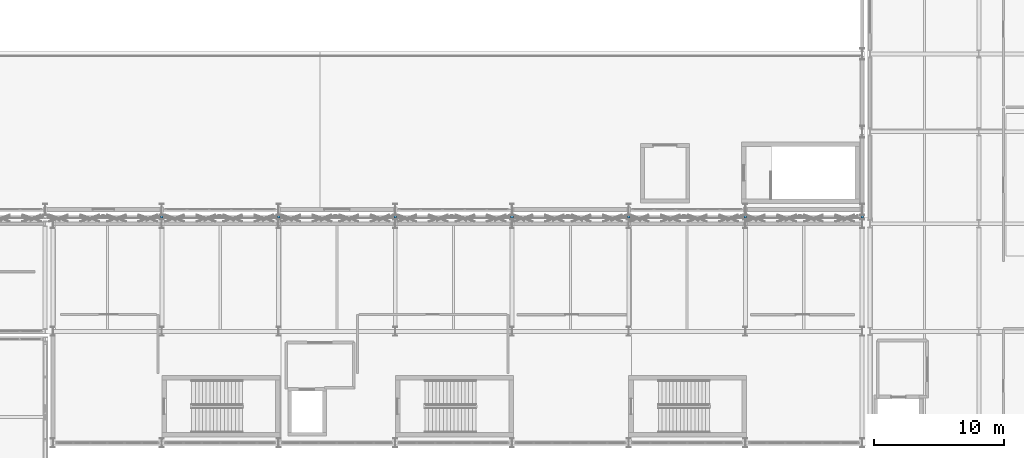
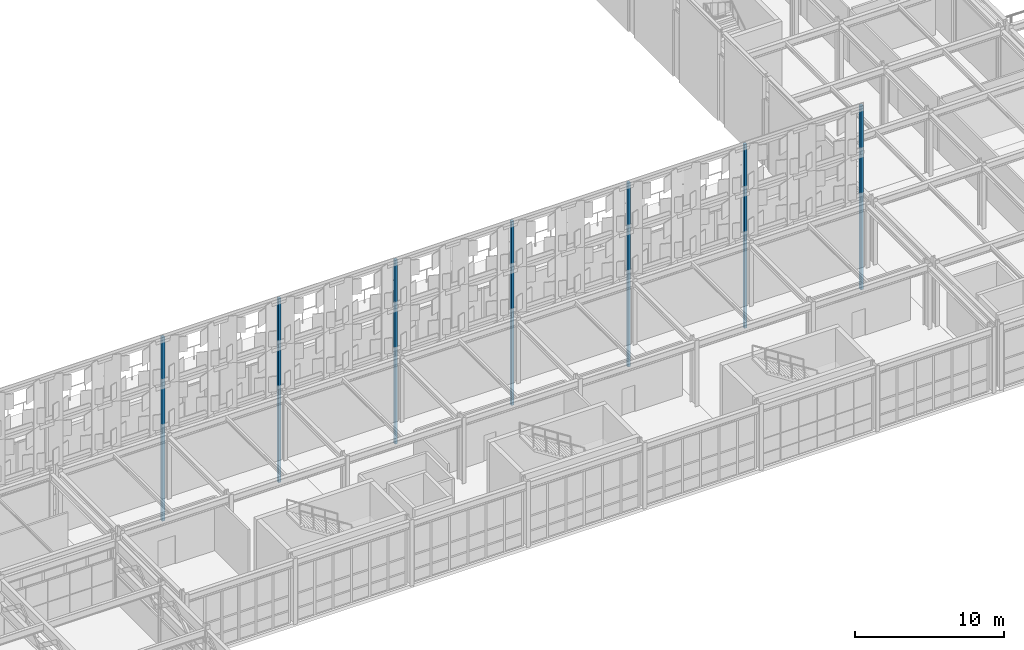
# One storey, part 167 of 210: 7 discrete accessories.
"""IFC4 building model written with IfcOpenShell, lengths in metres."""

from ifc_helpers import new_model, si_unit, direction, frame, origin, origin_2d, place, context, subcontext, project, spatial, rectangle, extrude, material, type_object, element, save


model = new_model("IFC4")

# Units and contexts
model_context = context("Model", 3, precision=1e-05, world=origin(), true_north=direction((0.0, 1.0)))
body_context = subcontext(model_context, "Body", "Model", "MODEL_VIEW")
ifc_project = project(units=[si_unit("LENGTHUNIT", "METRE"), si_unit("AREAUNIT", "SQUARE_METRE"), si_unit("VOLUMEUNIT", "CUBIC_METRE"), si_unit("PLANEANGLEUNIT", "RADIAN"), si_unit("MASSUNIT", "GRAM", prefix="KILO")], contexts=[model_context])

# Site, building, storey
site_placement = place(None, origin())
site = spatial("IfcSite", under=ifc_project, at=site_placement, CompositionType="ELEMENT")
building_placement = place(site_placement, origin())
building = spatial("IfcBuilding", under=site, at=building_placement, Name="Kaldris Quays Convention Centre", CompositionType="ELEMENT")
storey_placement = place(building_placement, frame((0.0, 0.0, 6.0)))
storey = spatial("IfcBuildingStorey", under=building, at=storey_placement, Name="L01", CompositionType="ELEMENT", Elevation=6.0)

# Discrete accessories
ifc_material = material(Name="Steel S355J2", Category="steel")
discrete_accessory_type = type_object("IfcDiscreteAccessoryType", Name="SCREEN OUTRIGGER BRACKET BK01", PredefinedType="BRACKET", material=ifc_material)
for number, where, z_axis, x_axis, name in (
    (1, (92.0, 55.43994140625, -2.27001953125), (0.0, 0.0, 1.0), (1.0, 0.0, 0.0), "V1S Screen Vertical Carrier Mullion 200"),
    (2, (101.0, 55.43994140625, -2.27001953125), (0.0, 0.0, 1.0), (1.0, 0.0, 0.0), "V1S Screen Vertical Carrier Mullion 205"),
    (3, (110.0, 55.43994140625, -2.27001953125), (0.0, 0.0, 1.0), (1.0, 0.0, 0.0), "V1S Screen Vertical Carrier Mullion 210"),
    (4, (119.0, 55.43994140625, -2.27001953125), (0.0, 0.0, 1.0), (1.0, 0.0, 0.0), "V1S Screen Vertical Carrier Mullion 215"),
    (5, (128.0, 55.43994140625, -2.27001953125), (0.0, 0.0, 1.0), (1.0, 0.0, 0.0), "V1S Screen Vertical Carrier Mullion 220"),
    (6, (137.0, 55.43994140625, -2.27001953125), (0.0, 0.0, 1.0), (1.0, 0.0, 0.0), "V1S Screen Vertical Carrier Mullion 225"),
    (7, (146.0, 55.43994140625, -2.27001953125), (0.0, 0.0, 1.0), (1.0, 0.0, 0.0), "V1S Screen Vertical Carrier Mullion 230"),
):
    element("IfcDiscreteAccessory", number, at=place(storey_placement, frame(where, z_axis=z_axis, x_axis=x_axis)), inside=storey, type_object=discrete_accessory_type, Name=name, PredefinedType="BRACKET", context=body_context, shape_type="SweptSolid", body=[
        extrude(rectangle(XDim=0.199951171875, YDim=0.219970703125, at=origin_2d()), origin(), (0.0, 0.0, 1.0), 15.0400390625),
    ])

save(model, "model.ifc")
